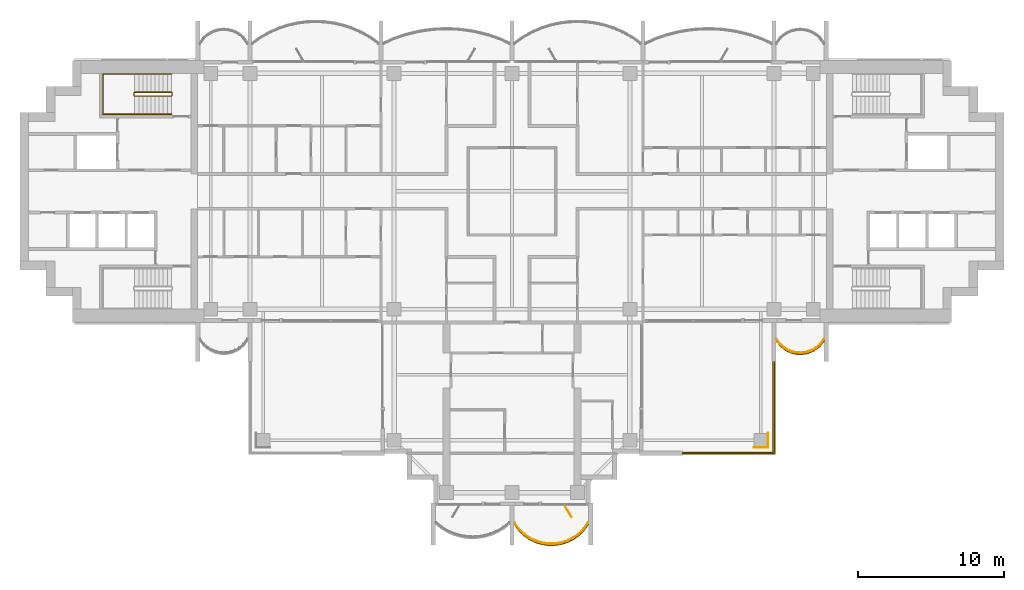
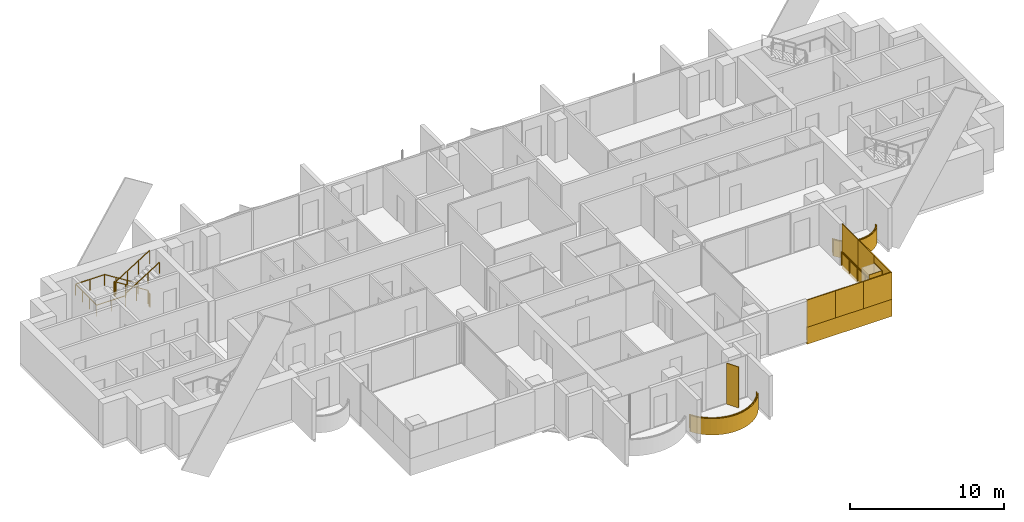
# One storey, part 15 of 17: 11 coverings, 5 railings, 1 shading device.
"""IFC4 building model written with IfcOpenShell, lengths in metres."""

from ifc_helpers import new_model, si_unit, direction, frame, origin, origin_2d, place, context, subcontext, project, spatial, polyline, rectangle, outline, extrude, material, layer, layer_set, type_object, element, save


model = new_model("IFC4")

# Units and contexts
model_context = context("Model", 3, precision=1e-05, world=origin(), true_north=direction((0.0, 1.0)))
body_context = subcontext(model_context, "Body", "Model", "MODEL_VIEW")
ifc_project = project(units=[si_unit("LENGTHUNIT", "METRE"), si_unit("AREAUNIT", "SQUARE_METRE"), si_unit("VOLUMEUNIT", "CUBIC_METRE"), si_unit("PLANEANGLEUNIT", "RADIAN"), si_unit("MASSUNIT", "GRAM", prefix="KILO")], contexts=[model_context])

# Site, building, storey
site_placement = place(None, origin())
site = spatial("IfcSite", under=ifc_project, at=site_placement, CompositionType="ELEMENT")
building_placement = place(site_placement, origin())
building = spatial("IfcBuilding", under=site, at=building_placement, Name="Perihelion Cross Residences", CompositionType="ELEMENT")
storey_placement = place(building_placement, frame((0.0, 0.0, 187.60009765625)))
storey = spatial("IfcBuildingStorey", under=building, at=storey_placement, Name="L46", CompositionType="ELEMENT", Elevation=187.60009765625)

# Coverings
ifc_material_1 = material(Name="Bronze anodised aluminium", Category="aluminium")
ifc_layer_1 = layer(ifc_material_1, 0.070068359375)
ifc_layer_set_1 = layer_set([ifc_layer_1], Name="Balcony fascia 1300")
covering_type_1 = type_object("IfcCoveringType", Name="Balcony fascia 1300", PredefinedType="CLADDING", material=ifc_layer_set_1)
covering_1_placement = place(storey_placement, frame((0.0, 0.0, -0.2001953125)))
element("IfcCovering", 1, at=covering_1_placement, inside=storey, type_object=covering_type_1, Name="Fascia BF1 L46 south tip south bay 2", PredefinedType="CLADDING", context=body_context, shape_type="SweptSolid", body=[
    extrude(outline(polyline([(0.43701171875, -23.322509765625), (0.78515625, -23.66064453125), (1.13330078125, -23.90869140625), (1.4814453125, -24.091064453125), (1.82958984375, -24.22021484375), (2.177734375, -24.30322265625), (2.52587890625, -24.343994140625), (2.8740234375, -24.343994140625), (3.22216796875, -24.30322265625), (3.5703125, -24.22021484375), (3.91845703125, -24.091064453125), (4.2666015625, -23.90869140625), (4.61474609375, -23.66064453125), (4.963134765625, -23.322509765625), (5.25, -22.92041015625), (5.25, -22.800048828125), (4.909912109375, -23.27685546875), (4.570068359375, -23.60693359375), (4.22998046875, -23.84912109375), (3.889892578125, -24.027099609375), (3.550048828125, -24.1533203125), (3.2099609375, -24.234375), (2.8701171875, -24.274169921875), (2.530029296875, -24.274169921875), (2.18994140625, -24.234375), (1.85009765625, -24.1533203125), (1.510009765625, -24.027099609375), (1.169921875, -23.84912109375), (0.830078125, -23.60693359375), (0.489990234375, -23.27685546875), (0.14990234375, -22.800048828125), (0.14990234375, -22.92041015625), (0.43701171875, -23.322509765625)])), origin(), (0.0, 0.0, 1.0), 1.300048828125),
])
covering_2_placement = place(storey_placement, frame((0.0, 0.0, -0.2001953125)))
element("IfcCovering", 2, at=covering_2_placement, inside=storey, type_object=covering_type_1, Name="Fascia BF1 L46 east side south bay 2", PredefinedType="CLADDING", context=body_context, shape_type="SweptSolid", body=[
    extrude(outline(polyline([(18.373779296875, -10.616455078125), (18.6591796875, -10.86328125), (18.9443359375, -11.031494140625), (19.229736328125, -11.142578125), (19.514892578125, -11.206298828125), (19.800048828125, -11.22705078125), (20.085205078125, -11.206298828125), (20.370361328125, -11.142578125), (20.655517578125, -11.031494140625), (20.94091796875, -10.86328125), (21.226318359375, -10.616455078125), (21.449951171875, -10.31689453125), (21.449951171875, -10.199951171875), (21.175048828125, -10.568603515625), (20.89990234375, -10.806396484375), (20.625, -10.96875), (20.35009765625, -11.07568359375), (20.074951171875, -11.136962890625), (19.800048828125, -11.156982421875), (19.52490234375, -11.136962890625), (19.25, -11.07568359375), (18.97509765625, -10.96875), (18.699951171875, -10.806396484375), (18.425048828125, -10.568603515625), (18.14990234375, -10.199951171875), (18.14990234375, -10.31689453125), (18.373779296875, -10.616455078125)])), origin(), (0.0, 0.0, 1.0), 1.300048828125),
])

# Railings
ifc_material_2 = material(Name="Bronze anodised aluminium", Category="aluminium")
railing_type_1 = type_object("IfcRailingType", Name="Balcony guard 1100", PredefinedType="GUARDRAIL", material=ifc_material_2)
railing_1_placement = place(storey_placement, frame((0.175048828125, -22.739990234375, 0.0)))
element("IfcRailing", 3, at=railing_1_placement, inside=storey, type_object=railing_type_1, Name="Guard GU1 L46 south tip south bay 2 balcony", PredefinedType="GUARDRAIL", context=body_context, shape_type="SweptSolid", body=[
    extrude(rectangle(XDim=0.048095703125, YDim=0.048095703125, at=origin_2d()), frame((0.0, 0.0, 1.076171875), z_axis=(0.551145731138, -0.834409002258, 0.0), x_axis=(0.834409002258, 0.551145731138, 0.0)), (0.0, 0.0, 1.0), 0.571533203125),
    extrude(rectangle(XDim=0.048095703125, YDim=0.048095703125, at=origin_2d()), frame((0.31494140625, -0.476806640625, 1.076171875), z_axis=(0.717588263781, -0.696467575472, 0.0), x_axis=(0.696467575472, 0.717588263781, 0.0)), (0.0, 0.0, 1.0), 0.473876953125),
    extrude(rectangle(XDim=0.048095703125, YDim=0.048095703125, at=origin_2d()), frame((0.655029296875, -0.806884765625, 1.076171875), z_axis=(0.814365457194, -0.580352394782, 0.0), x_axis=(0.580352394782, 0.814365457194, 0.0)), (0.0, 0.0, 1.0), 0.417236328125),
    extrude(rectangle(XDim=0.048095703125, YDim=0.048095703125, at=origin_2d()), frame((0.994873046875, -1.049072265625, 1.076171875), z_axis=(0.885744400902, -0.464173304134, 0.0), x_axis=(0.464173304134, 0.885744400902, 0.0)), (0.0, 0.0, 1.0), 0.384033203125),
    extrude(rectangle(XDim=0.048095703125, YDim=0.048095703125, at=origin_2d()), frame((1.3349609375, -1.227294921875, 1.076171875), z_axis=(0.937732519052, -0.347358205191, 0.0), x_axis=(0.347358205191, 0.937732519052, 0.0)), (0.0, 0.0, 1.0), 0.362548828125),
    extrude(rectangle(XDim=0.048095703125, YDim=0.048095703125, at=origin_2d()), frame((1.675048828125, -1.353271484375, 1.076171875), z_axis=(0.972716168284, -0.231998396458, 0.0), x_axis=(0.231998396458, 0.972716168284, 0.0)), (0.0, 0.0, 1.0), 0.349365234375),
    extrude(rectangle(XDim=0.048095703125, YDim=0.048095703125, at=origin_2d()), frame((2.014892578125, -1.434326171875, 1.076171875), z_axis=(0.993223414934, -0.116220686744, 0.0), x_axis=(0.116220686744, 0.993223414934, 0.0)), (0.0, 0.0, 1.0), 0.342529296875),
    extrude(rectangle(XDim=0.048095703125, YDim=0.048095703125, at=origin_2d()), frame((2.35498046875, -1.47412109375, 1.076171875), z_axis=(1.0, 0.0, 0.0), x_axis=(0.0, 1.0, 0.0)), (0.0, 0.0, 1.0), 0.340087890625),
    extrude(rectangle(XDim=0.048095703125, YDim=0.048095703125, at=origin_2d()), frame((2.695068359375, -1.47412109375, 1.076171875), z_axis=(0.993213773886, 0.116303049672, 0.0), x_axis=(-0.116303049672, 0.993213773886, 0.0)), (0.0, 0.0, 1.0), 0.34228515625),
    extrude(rectangle(XDim=0.048095703125, YDim=0.048095703125, at=origin_2d()), frame((3.034912109375, -1.434326171875, 1.076171875), z_axis=(0.972753741142, 0.231840805498, 0.0), x_axis=(-0.231840805498, 0.972753741142, 0.0)), (0.0, 0.0, 1.0), 0.349609375),
    extrude(rectangle(XDim=0.048095703125, YDim=0.048095703125, at=origin_2d()), frame((3.375, -1.353271484375, 1.076171875), z_axis=(0.937651218339, 0.347577606798, 0.0), x_axis=(-0.347577606798, 0.937651218339, 0.0)), (0.0, 0.0, 1.0), 0.362548828125),
    extrude(rectangle(XDim=0.048095703125, YDim=0.048095703125, at=origin_2d()), frame((3.71484375, -1.227294921875, 1.076171875), z_axis=(0.885744400902, 0.464173304134, 0.0), x_axis=(-0.464173304134, 0.885744400902, 0.0)), (0.0, 0.0, 1.0), 0.384033203125),
    extrude(rectangle(XDim=0.048095703125, YDim=0.048095703125, at=origin_2d()), frame((4.054931640625, -1.049072265625, 1.076171875), z_axis=(0.814562360662, 0.580075995532, 0.0), x_axis=(-0.580075995532, 0.814562360662, 0.0)), (0.0, 0.0, 1.0), 0.41748046875),
    extrude(rectangle(XDim=0.048095703125, YDim=0.048095703125, at=origin_2d()), frame((4.39501953125, -0.806884765625, 1.076171875), z_axis=(0.71733824833, 0.696725080274, 0.0), x_axis=(-0.696725080274, 0.71733824833, 0.0)), (0.0, 0.0, 1.0), 0.473876953125),
    extrude(rectangle(XDim=0.048095703125, YDim=0.048095703125, at=origin_2d()), frame((4.73486328125, -0.476806640625, 1.076171875), z_axis=(0.55144309028, 0.834212513801, 0.0), x_axis=(-0.834212513801, 0.55144309028, 0.0)), (0.0, 0.0, 1.0), 0.571533203125),
    extrude(rectangle(XDim=0.0419921875, YDim=0.0419921875, at=origin_2d()), origin(), (0.0, 0.0, 1.0), 1.052001953125),
    extrude(rectangle(XDim=0.0419921875, YDim=0.0419921875, at=origin_2d()), frame((0.31494140625, -0.476806640625, 0.0)), (0.0, 0.0, 1.0), 1.052001953125),
    extrude(rectangle(XDim=0.0419921875, YDim=0.0419921875, at=origin_2d()), frame((0.655029296875, -0.806884765625, 0.0)), (0.0, 0.0, 1.0), 1.052001953125),
    extrude(rectangle(XDim=0.0419921875, YDim=0.0419921875, at=origin_2d()), frame((0.994873046875, -1.049072265625, 0.0)), (0.0, 0.0, 1.0), 1.052001953125),
    extrude(rectangle(XDim=0.0419921875, YDim=0.0419921875, at=origin_2d()), frame((1.3349609375, -1.227294921875, 0.0)), (0.0, 0.0, 1.0), 1.052001953125),
    extrude(rectangle(XDim=0.0419921875, YDim=0.0419921875, at=origin_2d()), frame((1.675048828125, -1.353271484375, 0.0)), (0.0, 0.0, 1.0), 1.052001953125),
    extrude(rectangle(XDim=0.0419921875, YDim=0.0419921875, at=origin_2d()), frame((2.014892578125, -1.434326171875, 0.0)), (0.0, 0.0, 1.0), 1.052001953125),
    extrude(rectangle(XDim=0.0419921875, YDim=0.0419921875, at=origin_2d()), frame((2.35498046875, -1.47412109375, 0.0)), (0.0, 0.0, 1.0), 1.052001953125),
    extrude(rectangle(XDim=0.0419921875, YDim=0.0419921875, at=origin_2d()), frame((2.695068359375, -1.47412109375, 0.0)), (0.0, 0.0, 1.0), 1.052001953125),
    extrude(rectangle(XDim=0.0419921875, YDim=0.0419921875, at=origin_2d()), frame((3.034912109375, -1.434326171875, 0.0)), (0.0, 0.0, 1.0), 1.052001953125),
    extrude(rectangle(XDim=0.0419921875, YDim=0.0419921875, at=origin_2d()), frame((3.375, -1.353271484375, 0.0)), (0.0, 0.0, 1.0), 1.052001953125),
    extrude(rectangle(XDim=0.0419921875, YDim=0.0419921875, at=origin_2d()), frame((3.71484375, -1.227294921875, 0.0)), (0.0, 0.0, 1.0), 1.052001953125),
    extrude(rectangle(XDim=0.0419921875, YDim=0.0419921875, at=origin_2d()), frame((4.054931640625, -1.049072265625, 0.0)), (0.0, 0.0, 1.0), 1.052001953125),
    extrude(rectangle(XDim=0.0419921875, YDim=0.0419921875, at=origin_2d()), frame((4.39501953125, -0.806884765625, 0.0)), (0.0, 0.0, 1.0), 1.052001953125),
    extrude(rectangle(XDim=0.0419921875, YDim=0.0419921875, at=origin_2d()), frame((4.73486328125, -0.476806640625, 0.0)), (0.0, 0.0, 1.0), 1.052001953125),
    extrude(rectangle(XDim=0.0419921875, YDim=0.0419921875, at=origin_2d()), frame((5.050048828125, 0.0, 0.0)), (0.0, 0.0, 1.0), 1.052001953125),
])
railing_2_placement = place(storey_placement, frame((18.175048828125, -10.139892578125, 0.0)))
element("IfcRailing", 4, at=railing_2_placement, inside=storey, type_object=railing_type_1, Name="Guard GU1 L46 east side south bay 2 balcony", PredefinedType="GUARDRAIL", context=body_context, shape_type="SweptSolid", body=[
    extrude(rectangle(XDim=0.048095703125, YDim=0.048095703125, at=origin_2d()), frame((0.0, 0.0, 1.076171875), z_axis=(0.561260132269, -0.827639452857, 0.0), x_axis=(0.827639452857, 0.561260132269, 0.0)), (0.0, 0.0, 1.0), 0.4453125),
    extrude(rectangle(XDim=0.048095703125, YDim=0.048095703125, at=origin_2d()), frame((0.25, -0.36865234375, 1.076171875), z_axis=(0.756309278473, -0.654214242658, 0.0), x_axis=(0.654214242658, 0.756309278473, 0.0)), (0.0, 0.0, 1.0), 0.363525390625),
    extrude(rectangle(XDim=0.048095703125, YDim=0.048095703125, at=origin_2d()), frame((0.52490234375, -0.6064453125, 1.076171875), z_axis=(0.861245845072, -0.508188542123, 0.0), x_axis=(0.508188542123, 0.861245845072, 0.0)), (0.0, 0.0, 1.0), 0.319580078125),
    extrude(rectangle(XDim=0.048095703125, YDim=0.048095703125, at=origin_2d()), frame((0.800048828125, -0.768798828125, 1.076171875), z_axis=(0.931973602183, -0.362526143656, 0.0), x_axis=(0.362526143656, 0.931973602183, 0.0)), (0.0, 0.0, 1.0), 0.294921875),
    extrude(rectangle(XDim=0.048095703125, YDim=0.048095703125, at=origin_2d()), frame((1.074951171875, -0.875732421875, 1.076171875), z_axis=(0.976044077717, -0.217572880557, 0.0), x_axis=(0.217572880557, 0.976044077717, 0.0)), (0.0, 0.0, 1.0), 0.28173828125),
    extrude(rectangle(XDim=0.048095703125, YDim=0.048095703125, at=origin_2d()), frame((1.349853515625, -0.93701171875, 1.076171875), z_axis=(0.997363488337, -0.072567707226, 0.0), x_axis=(0.072567707226, 0.997363488337, 0.0)), (0.0, 0.0, 1.0), 0.27587890625),
    extrude(rectangle(XDim=0.048095703125, YDim=0.048095703125, at=origin_2d()), frame((1.625, -0.95703125, 1.076171875), z_axis=(0.997358821833, 0.072631814734, 0.0), x_axis=(-0.072631814734, 0.997358821833, 0.0)), (0.0, 0.0, 1.0), 0.275634765625),
    extrude(rectangle(XDim=0.048095703125, YDim=0.048095703125, at=origin_2d()), frame((1.89990234375, -0.93701171875, 1.076171875), z_axis=(0.976085059389, 0.21738895289, 0.0), x_axis=(-0.21738895289, 0.976085059389, 0.0)), (0.0, 0.0, 1.0), 0.281982421875),
    extrude(rectangle(XDim=0.048095703125, YDim=0.048095703125, at=origin_2d()), frame((2.175048828125, -0.875732421875, 1.076171875), z_axis=(0.931973602183, 0.362526143656, 0.0), x_axis=(-0.362526143656, 0.931973602183, 0.0)), (0.0, 0.0, 1.0), 0.294921875),
    extrude(rectangle(XDim=0.048095703125, YDim=0.048095703125, at=origin_2d()), frame((2.449951171875, -0.768798828125, 1.076171875), z_axis=(0.861048292884, 0.508523192511, 0.0), x_axis=(-0.508523192511, 0.861048292884, 0.0)), (0.0, 0.0, 1.0), 0.3193359375),
    extrude(rectangle(XDim=0.048095703125, YDim=0.048095703125, at=origin_2d()), frame((2.724853515625, -0.6064453125, 1.076171875), z_axis=(0.756596535164, 0.653882009982, 0.0), x_axis=(-0.653882009982, 0.756596535164, 0.0)), (0.0, 0.0, 1.0), 0.36376953125),
    extrude(rectangle(XDim=0.048095703125, YDim=0.048095703125, at=origin_2d()), frame((3.0, -0.36865234375, 1.076171875), z_axis=(0.561260132269, 0.827639452857, 0.0), x_axis=(-0.827639452857, 0.561260132269, 0.0)), (0.0, 0.0, 1.0), 0.4453125),
    extrude(rectangle(XDim=0.0419921875, YDim=0.0419921875, at=origin_2d()), origin(), (0.0, 0.0, 1.0), 1.052001953125),
    extrude(rectangle(XDim=0.0419921875, YDim=0.0419921875, at=origin_2d()), frame((0.25, -0.36865234375, 0.0)), (0.0, 0.0, 1.0), 1.052001953125),
    extrude(rectangle(XDim=0.0419921875, YDim=0.0419921875, at=origin_2d()), frame((0.52490234375, -0.6064453125, 0.0)), (0.0, 0.0, 1.0), 1.052001953125),
    extrude(rectangle(XDim=0.0419921875, YDim=0.0419921875, at=origin_2d()), frame((0.800048828125, -0.768798828125, 0.0)), (0.0, 0.0, 1.0), 1.052001953125),
    extrude(rectangle(XDim=0.0419921875, YDim=0.0419921875, at=origin_2d()), frame((1.074951171875, -0.875732421875, 0.0)), (0.0, 0.0, 1.0), 1.052001953125),
    extrude(rectangle(XDim=0.0419921875, YDim=0.0419921875, at=origin_2d()), frame((1.349853515625, -0.93701171875, 0.0)), (0.0, 0.0, 1.0), 1.052001953125),
    extrude(rectangle(XDim=0.0419921875, YDim=0.0419921875, at=origin_2d()), frame((1.625, -0.95703125, 0.0)), (0.0, 0.0, 1.0), 1.052001953125),
    extrude(rectangle(XDim=0.0419921875, YDim=0.0419921875, at=origin_2d()), frame((1.89990234375, -0.93701171875, 0.0)), (0.0, 0.0, 1.0), 1.052001953125),
    extrude(rectangle(XDim=0.0419921875, YDim=0.0419921875, at=origin_2d()), frame((2.175048828125, -0.875732421875, 0.0)), (0.0, 0.0, 1.0), 1.052001953125),
    extrude(rectangle(XDim=0.0419921875, YDim=0.0419921875, at=origin_2d()), frame((2.449951171875, -0.768798828125, 0.0)), (0.0, 0.0, 1.0), 1.052001953125),
    extrude(rectangle(XDim=0.0419921875, YDim=0.0419921875, at=origin_2d()), frame((2.724853515625, -0.6064453125, 0.0)), (0.0, 0.0, 1.0), 1.052001953125),
    extrude(rectangle(XDim=0.0419921875, YDim=0.0419921875, at=origin_2d()), frame((3.0, -0.36865234375, 0.0)), (0.0, 0.0, 1.0), 1.052001953125),
    extrude(rectangle(XDim=0.0419921875, YDim=0.0419921875, at=origin_2d()), frame((3.25, 0.0, 0.0)), (0.0, 0.0, 1.0), 1.052001953125),
])
railing_3_placement = place(storey_placement, frame((17.93994140625, -11.739990234375, 0.0)))
element("IfcRailing", 5, at=railing_3_placement, inside=storey, type_object=railing_type_1, Name="Guard GU1 L46 pocket south-east 1", PredefinedType="GUARDRAIL", context=body_context, shape_type="SweptSolid", body=[
    extrude(rectangle(XDim=0.048095703125, YDim=0.048095703125, at=origin_2d()), frame((0.0, 0.0, 1.076171875), z_axis=(0.0, -1.0, 0.0), x_axis=(1.0, 0.0, 0.0)), (0.0, 0.0, 1.0), 6.199951171875),
    extrude(rectangle(XDim=0.048095703125, YDim=0.048095703125, at=origin_2d()), frame((0.0, -6.199951171875, 1.076171875), z_axis=(-1.0, 0.0, 0.0), x_axis=(0.0, -1.0, 0.0)), (0.0, 0.0, 1.0), 6.199951171875),
    extrude(rectangle(XDim=0.0419921875, YDim=0.0419921875, at=origin_2d()), origin(), (0.0, 0.0, 1.0), 1.052001953125),
    extrude(rectangle(XDim=0.0419921875, YDim=0.0419921875, at=origin_2d()), frame((0.0, -1.033203125, 0.0)), (0.0, 0.0, 1.0), 1.052001953125),
    extrude(rectangle(XDim=0.0419921875, YDim=0.0419921875, at=origin_2d()), frame((0.0, -2.066650390625, 0.0)), (0.0, 0.0, 1.0), 1.052001953125),
    extrude(rectangle(XDim=0.0419921875, YDim=0.0419921875, at=origin_2d()), frame((0.0, -3.10009765625, 0.0)), (0.0, 0.0, 1.0), 1.052001953125),
    extrude(rectangle(XDim=0.0419921875, YDim=0.0419921875, at=origin_2d()), frame((0.0, -4.13330078125, 0.0)), (0.0, 0.0, 1.0), 1.052001953125),
    extrude(rectangle(XDim=0.0419921875, YDim=0.0419921875, at=origin_2d()), frame((0.0, -5.16650390625, 0.0)), (0.0, 0.0, 1.0), 1.052001953125),
    extrude(rectangle(XDim=0.0419921875, YDim=0.0419921875, at=origin_2d()), frame((0.0, -6.199951171875, 0.0)), (0.0, 0.0, 1.0), 1.052001953125),
    extrude(rectangle(XDim=0.0419921875, YDim=0.0419921875, at=origin_2d()), frame((-1.033203125, -6.199951171875, 0.0)), (0.0, 0.0, 1.0), 1.052001953125),
    extrude(rectangle(XDim=0.0419921875, YDim=0.0419921875, at=origin_2d()), frame((-2.066650390625, -6.199951171875, 0.0)), (0.0, 0.0, 1.0), 1.052001953125),
    extrude(rectangle(XDim=0.0419921875, YDim=0.0419921875, at=origin_2d()), frame((-3.10009765625, -6.199951171875, 0.0)), (0.0, 0.0, 1.0), 1.052001953125),
    extrude(rectangle(XDim=0.0419921875, YDim=0.0419921875, at=origin_2d()), frame((-4.13330078125, -6.199951171875, 0.0)), (0.0, 0.0, 1.0), 1.052001953125),
    extrude(rectangle(XDim=0.0419921875, YDim=0.0419921875, at=origin_2d()), frame((-5.16650390625, -6.199951171875, 0.0)), (0.0, 0.0, 1.0), 1.052001953125),
    extrude(rectangle(XDim=0.0419921875, YDim=0.0419921875, at=origin_2d()), frame((-6.199951171875, -6.199951171875, 0.0)), (0.0, 0.0, 1.0), 1.052001953125),
])

# Coverings
ifc_material_3 = material(Name="Bronze anodised aluminium", Category="aluminium")
ifc_layer_2 = layer(ifc_material_3, 0.0400390625)
ifc_layer_set_2 = layer_set([ifc_layer_2], Name="Bronze column casing 40")
covering_type_2 = type_object("IfcCoveringType", Name="Bronze column casing 40", PredefinedType="CLADDING", material=ifc_layer_set_2)
covering_3_placement = place(storey_placement, frame((17.594970703125, -17.10009765625, -0.25), z_axis=(0.0, 0.0, 1.0), x_axis=(1.0, 0.0, 0.0)))
element("IfcCovering", 6, at=covering_3_placement, inside=storey, type_object=covering_type_2, Name="Cladding CC1 L46 casing east-west no. 2", PredefinedType="CLADDING", context=body_context, shape_type="SweptSolid", body=[
    extrude(rectangle(XDim=0.0400390625, YDim=1.030029296875, at=origin_2d()), origin(), (0.0, 0.0, 1.0), 3.5),
])
covering_4_placement = place(storey_placement, frame((17.10009765625, -17.594970703125, -0.25), z_axis=(0.0, 0.0, 1.0), x_axis=(1.0, 0.0, 0.0)))
element("IfcCovering", 7, at=covering_4_placement, inside=storey, type_object=covering_type_2, Name="Cladding CC1 L46 casing north-south no. 2", PredefinedType="CLADDING", context=body_context, shape_type="SweptSolid", body=[
    extrude(rectangle(XDim=0.949951171875, YDim=0.0400390625, at=origin_2d()), origin(), (0.0, 0.0, 1.0), 3.5),
])

# Shading device
ifc_material_4 = material(Name="Bronze anodised aluminium", Category="aluminium")
ifc_layer_3 = layer(ifc_material_4, 0.050048828125)
ifc_layer_set_3 = layer_set([ifc_layer_3], Name="Bronze fin 900")
shading_device_type = type_object("IfcShadingDeviceType", Name="Bronze fin 900", PredefinedType="USERDEFINED", material=ifc_layer_set_3)
shading_device_placement = place(storey_placement, frame((3.862548828125, -21.98974609375, 0.0), z_axis=(0.0, 0.0, 1.0), x_axis=(0.5, -0.866025403784, 0.0)))
element("IfcShadingDevice", 8, at=shading_device_placement, inside=storey, type_object=shading_device_type, Name="Fin FN1 L46 south tip south bay 2", ObjectType="FIN", PredefinedType="USERDEFINED", context=body_context, shape_type="SweptSolid", body=[
    extrude(rectangle(XDim=0.89990234375, YDim=0.050048828125, at=origin_2d()), origin(), (0.0, 0.0, 1.0), 3.25),
])

# Coverings
ifc_material_5 = material(Name="Bronze anodised aluminium", Category="aluminium")
ifc_layer_4 = layer(ifc_material_5, 0.070068359375)
ifc_layer_set_4 = layer_set([ifc_layer_4], Name="Pocket fascia 1350")
covering_type_3 = type_object("IfcCoveringType", Name="Pocket fascia 1350", PredefinedType="CLADDING", material=ifc_layer_set_4)
covering_5_placement = place(storey_placement, frame((0.0, 0.0, -0.25)))
element("IfcCovering", 9, at=covering_5_placement, inside=storey, type_object=covering_type_3, Name="Fascia BF2 L46 pocket south-east 3", PredefinedType="CLADDING", context=body_context, shape_type="SweptSolid", body=[
    extrude(outline(polyline([(18.070068359375, -18.070068359375), (18.070068359375, -11.699951171875), (18.0, -11.699951171875), (18.0, -18.0), (11.699951171875, -18.0), (11.699951171875, -18.070068359375), (18.070068359375, -18.070068359375)])), origin(), (0.0, 0.0, 1.0), 1.349853515625),
])
ifc_material_6 = material(Name="Bronze perforated aluminium", Category="aluminium")
ifc_layer_5 = layer(ifc_material_6, 0.070068359375)
ifc_layer_set_5 = layer_set([ifc_layer_5], Name="Pocket solar screen, bronze perforated")
covering_type_4 = type_object("IfcCoveringType", Name="Pocket solar screen, bronze perforated", PredefinedType="CLADDING", material=ifc_layer_set_5)
covering_6_placement = place(storey_placement, frame((0.0, 0.0, 1.099853515625)))
element("IfcCovering", 10, at=covering_6_placement, inside=storey, type_object=covering_type_4, Name="Solar screen PS1 L46 pocket south-east no. 1", PredefinedType="CLADDING", context=body_context, shape_type="SweptSolid", body=[
    extrude(outline(polyline([(18.070068359375, -18.0), (18.070068359375, -15.89990234375), (18.0, -15.89990234375), (18.0, -18.0), (18.070068359375, -18.0)])), origin(), (0.0, 0.0, 1.0), 2.150146484375),
])
covering_7_placement = place(storey_placement, frame((0.0, 0.0, 1.099853515625)))
element("IfcCovering", 11, at=covering_7_placement, inside=storey, type_object=covering_type_4, Name="Solar screen PS1 L46 pocket south-east no. 2", PredefinedType="CLADDING", context=body_context, shape_type="SweptSolid", body=[
    extrude(outline(polyline([(18.070068359375, -15.89990234375), (18.070068359375, -13.800048828125), (18.0, -13.800048828125), (18.0, -15.89990234375), (18.070068359375, -15.89990234375)])), origin(), (0.0, 0.0, 1.0), 2.150146484375),
])
covering_8_placement = place(storey_placement, frame((0.0, 0.0, 1.099853515625)))
element("IfcCovering", 12, at=covering_8_placement, inside=storey, type_object=covering_type_4, Name="Solar screen PS1 L46 pocket south-east no. 3", PredefinedType="CLADDING", context=body_context, shape_type="SweptSolid", body=[
    extrude(outline(polyline([(18.070068359375, -13.800048828125), (18.070068359375, -11.699951171875), (18.0, -11.699951171875), (18.0, -13.800048828125), (18.070068359375, -13.800048828125)])), origin(), (0.0, 0.0, 1.0), 2.150146484375),
])
covering_9_placement = place(storey_placement, frame((0.0, 0.0, 1.099853515625)))
element("IfcCovering", 13, at=covering_9_placement, inside=storey, type_object=covering_type_4, Name="Solar screen PS1 L46 pocket south-east no. 4", PredefinedType="CLADDING", context=body_context, shape_type="SweptSolid", body=[
    extrude(outline(polyline([(13.8232421875, -18.070068359375), (13.8232421875, -18.0), (11.699951171875, -18.0), (11.699951171875, -18.070068359375), (13.8232421875, -18.070068359375)])), origin(), (0.0, 0.0, 1.0), 2.150146484375),
])
covering_10_placement = place(storey_placement, frame((0.0, 0.0, 1.099853515625)))
element("IfcCovering", 14, at=covering_10_placement, inside=storey, type_object=covering_type_4, Name="Solar screen PS1 L46 pocket south-east no. 5", PredefinedType="CLADDING", context=body_context, shape_type="SweptSolid", body=[
    extrude(outline(polyline([(15.94677734375, -18.070068359375), (15.94677734375, -18.0), (13.8232421875, -18.0), (13.8232421875, -18.070068359375), (15.94677734375, -18.070068359375)])), origin(), (0.0, 0.0, 1.0), 2.150146484375),
])
covering_11_placement = place(storey_placement, frame((0.0, 0.0, 1.099853515625)))
element("IfcCovering", 15, at=covering_11_placement, inside=storey, type_object=covering_type_4, Name="Solar screen PS1 L46 pocket south-east no. 6", PredefinedType="CLADDING", context=body_context, shape_type="SweptSolid", body=[
    extrude(outline(polyline([(18.070068359375, -18.070068359375), (18.070068359375, -18.0), (15.94677734375, -18.0), (15.94677734375, -18.070068359375), (18.070068359375, -18.070068359375)])), origin(), (0.0, 0.0, 1.0), 2.150146484375),
])

# Railings
ifc_material_7 = material(Name="Stainless steel", Category="steel")
railing_type_2 = type_object("IfcRailingType", Name="Stair guard 1100", PredefinedType="GUARDRAIL", material=ifc_material_7)
railing_4_placement = place(storey_placement, frame((-23.35009765625, 6.60009765625, 0.0)))
element("IfcRailing", 16, at=railing_4_placement, inside=storey, type_object=railing_type_2, Name="L46 ST-W1 stair guard 1", PredefinedType="GUARDRAIL", context=body_context, shape_type="SweptSolid", body=[
    extrude(rectangle(XDim=0.048095703125, YDim=0.048095703125, at=origin_2d()), frame((0.0, 0.0, 1.076171875), z_axis=(0.0, 1.0, 0.0), x_axis=(-1.0, 0.0, 0.0)), (0.0, 0.0, 1.0), 0.14990234375),
    extrude(rectangle(XDim=0.048095703125, YDim=0.048095703125, at=origin_2d()), frame((0.0, 0.14990234375, 1.076171875), z_axis=(-0.264179342666, 0.265474339444, 0.927217692888), x_axis=(-0.708833529934, -0.705375805398, 0.0)), (0.0, 0.0, 1.0), 0.1884765625),
    extrude(rectangle(XDim=0.048095703125, YDim=0.048095703125, at=origin_2d()), frame((-0.0498046875, 0.199951171875, 1.2509765625), z_axis=(-0.847970611238, 0.0, 0.530043245855), x_axis=(0.0, -1.0, 0.0)), (0.0, 0.0, 1.0), 2.971923828125),
    extrude(rectangle(XDim=0.048095703125, YDim=0.048095703125, at=origin_2d()), frame((-2.56982421875, 0.199951171875, 2.826171875), z_axis=(-0.707106781187, -0.707106781187, 0.0), x_axis=(0.707106781187, -0.707106781187, 0.0)), (0.0, 0.0, 1.0), 0.07080078125),
    extrude(rectangle(XDim=0.048095703125, YDim=0.048095703125, at=origin_2d()), frame((-2.619873046875, 0.14990234375, 2.826171875), z_axis=(0.0, -1.0, 0.0), x_axis=(1.0, 0.0, 0.0)), (0.0, 0.0, 1.0), 0.14990234375),
    extrude(rectangle(XDim=0.048095703125, YDim=0.048095703125, at=origin_2d()), frame((-2.619873046875, 0.0, 2.826171875), z_axis=(0.265383341853, -0.265383341853, 0.926899867156), x_axis=(0.707106781187, 0.707106781187, 0.0)), (0.0, 0.0, 1.0), 0.1884765625),
    extrude(rectangle(XDim=0.048095703125, YDim=0.048095703125, at=origin_2d()), frame((-2.56982421875, -0.050048828125, 3.0009765625), z_axis=(0.847970611238, 0.0, 0.530043245855), x_axis=(0.0, 1.0, 0.0)), (0.0, 0.0, 1.0), 2.971923828125),
    extrude(rectangle(XDim=0.0419921875, YDim=0.0419921875, at=origin_2d()), origin(), (0.0, 0.0, 1.0), 1.052001953125),
    extrude(rectangle(XDim=0.0419921875, YDim=0.0419921875, at=origin_2d()), frame((0.0, 0.14990234375, 0.0)), (0.0, 0.0, 1.0), 1.052001953125),
    extrude(rectangle(XDim=0.0419921875, YDim=0.0419921875, at=origin_2d()), frame((-0.0498046875, 0.199951171875, 0.1748046875)), (0.0, 0.0, 1.0), 1.052001953125),
    extrude(rectangle(XDim=0.0419921875, YDim=0.0419921875, at=origin_2d()), frame((-0.889892578125, 0.199951171875, 0.699951171875)), (0.0, 0.0, 1.0), 1.052001953125),
    extrude(rectangle(XDim=0.0419921875, YDim=0.0419921875, at=origin_2d()), frame((-1.729736328125, 0.199951171875, 1.224853515625)), (0.0, 0.0, 1.0), 1.052001953125),
    extrude(rectangle(XDim=0.0419921875, YDim=0.0419921875, at=origin_2d()), frame((-2.56982421875, 0.199951171875, 1.75)), (0.0, 0.0, 1.0), 1.052001953125),
    extrude(rectangle(XDim=0.0419921875, YDim=0.0419921875, at=origin_2d()), frame((-2.619873046875, 0.14990234375, 1.75)), (0.0, 0.0, 1.0), 1.052001953125),
    extrude(rectangle(XDim=0.0419921875, YDim=0.0419921875, at=origin_2d()), frame((-2.619873046875, 0.0, 1.75)), (0.0, 0.0, 1.0), 1.052001953125),
    extrude(rectangle(XDim=0.0419921875, YDim=0.0419921875, at=origin_2d()), frame((-2.56982421875, -0.050048828125, 1.9248046875)), (0.0, 0.0, 1.0), 1.052001953125),
    extrude(rectangle(XDim=0.0419921875, YDim=0.0419921875, at=origin_2d()), frame((-1.729736328125, -0.050048828125, 2.449951171875)), (0.0, 0.0, 1.0), 1.052001953125),
    extrude(rectangle(XDim=0.0419921875, YDim=0.0419921875, at=origin_2d()), frame((-0.889892578125, -0.050048828125, 2.974853515625)), (0.0, 0.0, 1.0), 1.052001953125),
    extrude(rectangle(XDim=0.0419921875, YDim=0.0419921875, at=origin_2d()), frame((-0.0498046875, -0.050048828125, 3.5)), (0.0, 0.0, 1.0), 1.052001953125),
])
ifc_material_8 = material(Name="Stainless steel", Category="steel")
railing_type_3 = type_object("IfcRailingType", Name="Stair handrail 900", PredefinedType="HANDRAIL", material=ifc_material_8)
railing_5_placement = place(storey_placement, frame((-23.39990234375, 8.050048828125, 0.1748046875)))
element("IfcRailing", 17, at=railing_5_placement, inside=storey, type_object=railing_type_3, Name="L46 ST-W1 stair handrail 1", PredefinedType="HANDRAIL", context=body_context, shape_type="SweptSolid", body=[
    extrude(rectangle(XDim=0.048095703125, YDim=0.048095703125, at=origin_2d()), frame((0.0, 0.0, 0.8759765625), z_axis=(-0.847970611238, 0.0, 0.530043245855), x_axis=(0.0, -1.0, 0.0)), (0.0, 0.0, 1.0), 2.971923828125),
    extrude(rectangle(XDim=0.048095703125, YDim=0.048095703125, at=origin_2d()), frame((-2.52001953125, 0.0, 2.451171875), z_axis=(-1.0, 0.0, 0.0), x_axis=(0.0, -1.0, 0.0)), (0.0, 0.0, 1.0), 2.18017578125),
    extrude(rectangle(XDim=0.048095703125, YDim=0.048095703125, at=origin_2d()), frame((-4.7001953125, 0.0, 2.451171875), z_axis=(0.0, -1.0, 0.0), x_axis=(1.0, 0.0, 0.0)), (0.0, 0.0, 1.0), 2.75),
    extrude(rectangle(XDim=0.048095703125, YDim=0.048095703125, at=origin_2d()), frame((-4.7001953125, -2.75, 2.451171875), z_axis=(1.0, 0.0, 0.0), x_axis=(0.0, 1.0, 0.0)), (0.0, 0.0, 1.0), 2.18017578125),
    extrude(rectangle(XDim=0.048095703125, YDim=0.048095703125, at=origin_2d()), frame((-2.52001953125, -2.75, 2.451171875), z_axis=(0.0, 0.0, 1.0), x_axis=(1.0, 0.0, 0.0)), (0.0, 0.0, 1.0), 0.1748046875),
    extrude(rectangle(XDim=0.048095703125, YDim=0.048095703125, at=origin_2d()), frame((-2.52001953125, -2.75, 2.6259765625), z_axis=(0.847970611238, 0.0, 0.530043245855), x_axis=(0.0, 1.0, 0.0)), (0.0, 0.0, 1.0), 2.971923828125),
    extrude(rectangle(XDim=0.0419921875, YDim=0.0419921875, at=origin_2d()), origin(), (0.0, 0.0, 1.0), 0.851806640625),
    extrude(rectangle(XDim=0.0419921875, YDim=0.0419921875, at=origin_2d()), frame((-0.840087890625, 0.0, 0.525146484375)), (0.0, 0.0, 1.0), 0.851806640625),
    extrude(rectangle(XDim=0.0419921875, YDim=0.0419921875, at=origin_2d()), frame((-1.679931640625, 0.0, 1.050048828125)), (0.0, 0.0, 1.0), 0.851806640625),
    extrude(rectangle(XDim=0.0419921875, YDim=0.0419921875, at=origin_2d()), frame((-2.52001953125, 0.0, 1.5751953125)), (0.0, 0.0, 1.0), 0.851806640625),
    extrude(rectangle(XDim=0.0419921875, YDim=0.0419921875, at=origin_2d()), frame((-3.610107421875, 0.0, 1.5751953125)), (0.0, 0.0, 1.0), 0.851806640625),
    extrude(rectangle(XDim=0.0419921875, YDim=0.0419921875, at=origin_2d()), frame((-4.7001953125, 0.0, 1.5751953125)), (0.0, 0.0, 1.0), 0.851806640625),
    extrude(rectangle(XDim=0.0419921875, YDim=0.0419921875, at=origin_2d()), frame((-4.7001953125, -0.916748046875, 1.5751953125)), (0.0, 0.0, 1.0), 0.851806640625),
    extrude(rectangle(XDim=0.0419921875, YDim=0.0419921875, at=origin_2d()), frame((-4.7001953125, -1.833251953125, 1.5751953125)), (0.0, 0.0, 1.0), 0.851806640625),
    extrude(rectangle(XDim=0.0419921875, YDim=0.0419921875, at=origin_2d()), frame((-4.7001953125, -2.75, 1.5751953125)), (0.0, 0.0, 1.0), 0.851806640625),
    extrude(rectangle(XDim=0.0419921875, YDim=0.0419921875, at=origin_2d()), frame((-3.610107421875, -2.75, 1.5751953125)), (0.0, 0.0, 1.0), 0.851806640625),
    extrude(rectangle(XDim=0.0419921875, YDim=0.0419921875, at=origin_2d()), frame((-2.52001953125, -2.75, 1.5751953125)), (0.0, 0.0, 1.0), 0.851806640625),
    extrude(rectangle(XDim=0.0419921875, YDim=0.0419921875, at=origin_2d()), frame((-2.52001953125, -2.75, 1.75)), (0.0, 0.0, 1.0), 0.851806640625),
    extrude(rectangle(XDim=0.0419921875, YDim=0.0419921875, at=origin_2d()), frame((-1.679931640625, -2.75, 2.275146484375)), (0.0, 0.0, 1.0), 0.851806640625),
    extrude(rectangle(XDim=0.0419921875, YDim=0.0419921875, at=origin_2d()), frame((-0.840087890625, -2.75, 2.800048828125)), (0.0, 0.0, 1.0), 0.851806640625),
    extrude(rectangle(XDim=0.0419921875, YDim=0.0419921875, at=origin_2d()), frame((0.0, -2.75, 3.3251953125)), (0.0, 0.0, 1.0), 0.851806640625),
])

save(model, "model.ifc")
